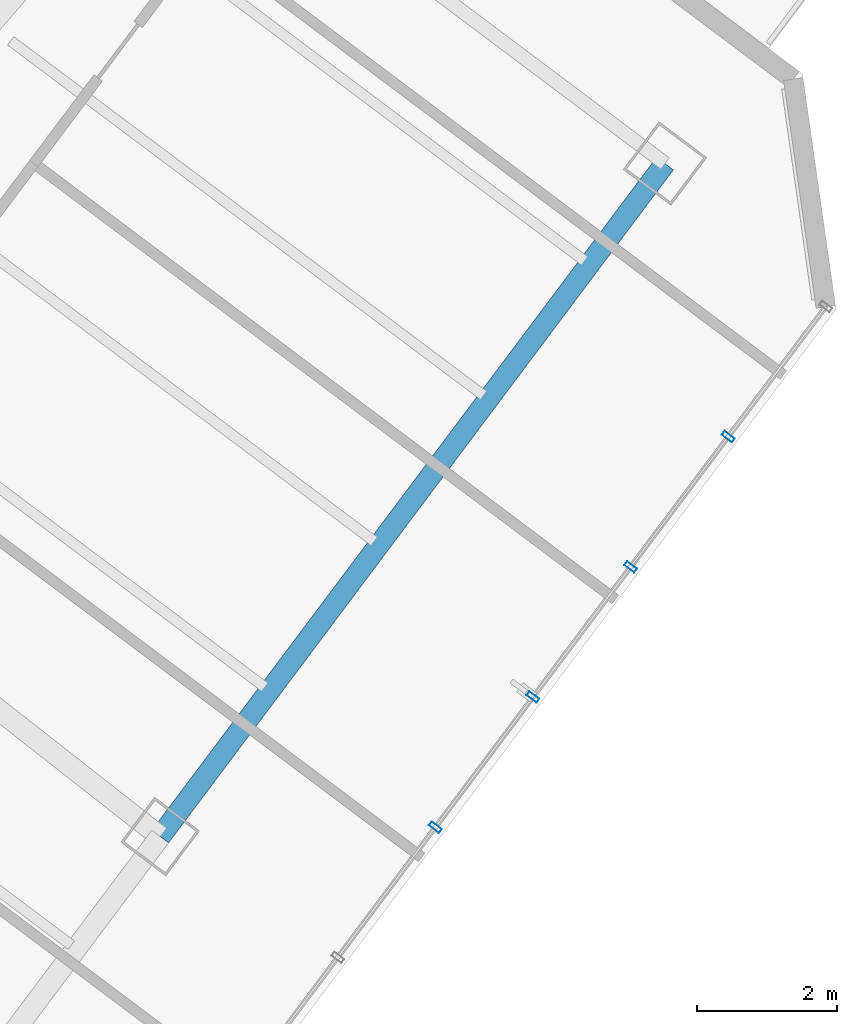
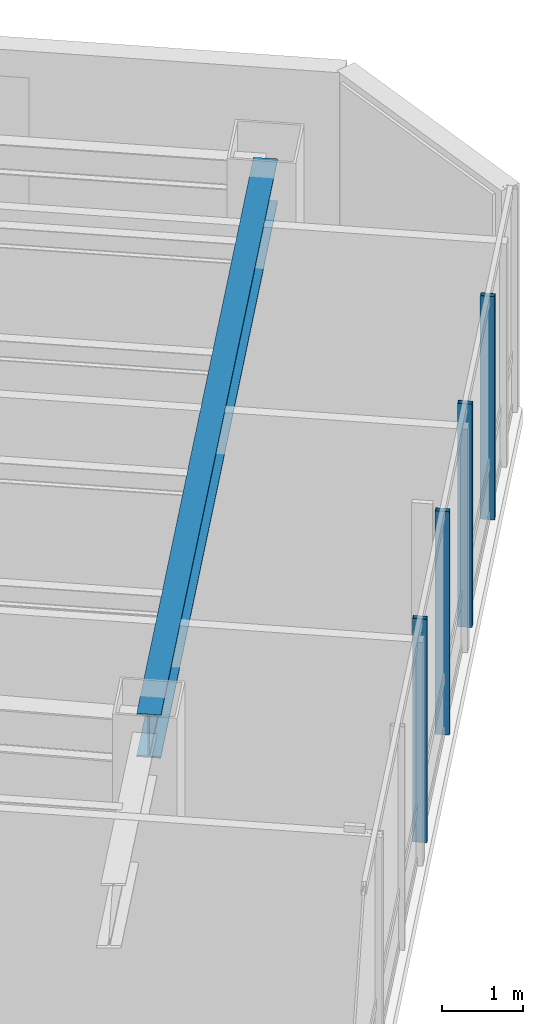
# One storey, part 13 of 29: 4 members, 1 beam, 1 element without a shape of its own.
"""IFC4 building model written with IfcOpenShell, lengths in metres."""

from ifc_helpers import new_model, si_unit, direction, frame, origin, origin_2d, place, context, subcontext, project, spatial, hollow_rectangle, i_section, extrude, material, layer, layer_set, material_profile, profile_set, type_object, element, aggregate, save


model = new_model("IFC4")

# Units and contexts
model_context = context("Model", 3, precision=1e-05, world=origin(), true_north=direction((0.0, 1.0)))
body_context = subcontext(model_context, "Body", "Model", "MODEL_VIEW")
ifc_project = project(units=[si_unit("LENGTHUNIT", "METRE"), si_unit("AREAUNIT", "SQUARE_METRE"), si_unit("VOLUMEUNIT", "CUBIC_METRE"), si_unit("PLANEANGLEUNIT", "RADIAN"), si_unit("MASSUNIT", "GRAM", prefix="KILO")], contexts=[model_context])

# Site, building, storey
site_placement = place(None, origin())
site = spatial("IfcSite", under=ifc_project, at=site_placement, CompositionType="ELEMENT")
building_placement = place(site_placement, origin())
building = spatial("IfcBuilding", under=site, at=building_placement, Name="Hatsunagi Terrace Concourse", CompositionType="ELEMENT")
storey_placement = place(building_placement, frame((0.0, 0.0, 149.25)))
storey = spatial("IfcBuildingStorey", under=building, at=storey_placement, Name="L39", CompositionType="ELEMENT", Elevation=149.25)

# Curtain wall, members
ifc_material_1 = material(Name="Anodised Aluminium Alloy 6063-T5", Category="aluminium")
ifc_layer = layer(ifc_material_1, 0.199951171875)
ifc_layer_set = layer_set([ifc_layer], Name="OfficeZone1_CW03")
curtain_wall_type = type_object("IfcCurtainWallType", Name="OfficeZone1_CW03", PredefinedType="NOTDEFINED", material=ifc_layer_set)
curtain_wall_placement = place(storey_placement, origin())
curtain_wall = element("IfcCurtainWall", 1, at=curtain_wall_placement, inside=storey, type_object=curtain_wall_type, Name="Unitised Curtain Wall CW-03 CW-L39-03", PredefinedType="NOTDEFINED")
ifc_material_2 = material(Name="Anodised Aluminium Alloy 6063-T5", Category="aluminium")
ifc_material_profile_1 = material_profile(ifc_material_2, hollow_rectangle(XDim=0.070068359375, YDim=0.179931640625, WallThickness=0.00390625, at=origin_2d()), Name="ALU-MUL-180x70x4")
ifc_profile_set_1 = profile_set([ifc_material_profile_1], Name="Anodised Aluminium Alloy 6063-T5")
member_type = type_object("IfcMemberType", Name="CurtainWallMullion_180x70", PredefinedType="MULLION", material=ifc_profile_set_1)
member_1_placement = place(storey_placement, frame((59.301025390625, 24.10205078125, 0.0), z_axis=(0.0, 0.0, 1.0), x_axis=(-0.599969314634, -0.800023013105, 0.0)))
member_1 = element("IfcMember", 2, at=member_1_placement, type_object=member_type, Name="Curtain Wall Mullion MUL-02", PredefinedType="MULLION", context=body_context, shape_type="SweptSolid", body=[
    extrude(hollow_rectangle(XDim=0.070068359375, YDim=0.179931640625, WallThickness=0.00390625, at=origin_2d()), origin(), (0.0, 0.0, 1.0), 3.35009765625),
])
member_2_placement = place(storey_placement, frame((57.908935546875, 22.2451171875, 0.0), z_axis=(0.0, 0.0, 1.0), x_axis=(-0.599969314634, -0.800023013105, 0.0)))
member_2 = element("IfcMember", 3, at=member_2_placement, type_object=member_type, Name="Curtain Wall Mullion MUL-02", PredefinedType="MULLION", context=body_context, shape_type="SweptSolid", body=[
    extrude(hollow_rectangle(XDim=0.070068359375, YDim=0.179931640625, WallThickness=0.00390625, at=origin_2d()), origin(), (0.0, 0.0, 1.0), 3.35009765625),
])
member_3_placement = place(storey_placement, frame((56.51611328125, 20.388916015625, 0.0), z_axis=(0.0, 0.0, 1.0), x_axis=(-0.599969314634, -0.800023013105, 0.0)))
member_3 = element("IfcMember", 4, at=member_3_placement, type_object=member_type, Name="Curtain Wall Mullion MUL-02", PredefinedType="MULLION", context=body_context, shape_type="SweptSolid", body=[
    extrude(hollow_rectangle(XDim=0.070068359375, YDim=0.179931640625, WallThickness=0.00390625, at=origin_2d()), origin(), (0.0, 0.0, 1.0), 3.35009765625),
])
member_4_placement = place(storey_placement, frame((55.1240234375, 18.531982421875, 0.0), z_axis=(0.0, 0.0, 1.0), x_axis=(-0.599969314634, -0.800023013105, 0.0)))
member_4 = element("IfcMember", 5, at=member_4_placement, type_object=member_type, Name="Curtain Wall Mullion MUL-02", PredefinedType="MULLION", context=body_context, shape_type="SweptSolid", body=[
    extrude(hollow_rectangle(XDim=0.070068359375, YDim=0.179931640625, WallThickness=0.00390625, at=origin_2d()), origin(), (0.0, 0.0, 1.0), 3.35009765625),
])
aggregate(curtain_wall, [member_1, member_2, member_3, member_4])

# Beam
ifc_material_3 = material(Name="Steel SN490B", Category="steel")
ifc_material_profile_2 = material_profile(ifc_material_3, i_section(OverallWidth=0.300048828125, OverallDepth=0.64990234375, WebThickness=0.012939453125, FlangeThickness=0.02197265625, FilletRadius=0.01806640625, at=origin_2d()), Name="H-650x300x13x22")
ifc_profile_set_2 = profile_set([ifc_material_profile_2], Name="Steel SN490B")
beam_type = type_object("IfcBeamType", Name="OfficeLowGirder_H_650x300", PredefinedType="BEAM", material=ifc_profile_set_2)
beam_placement = place(storey_placement, frame((51.199951171875, 18.39990234375, 3.02490234375), z_axis=(0.59999348959, 0.800004882766, 0.0), x_axis=(-0.800004882766, 0.59999348959, 0.0)))
element("IfcBeam", 6, at=beam_placement, inside=storey, type_object=beam_type, Name="Beam G-05 BM-L39-SET-2B", PredefinedType="BEAM", context=body_context, shape_type="SweptSolid", body=[
    extrude(i_section(OverallWidth=0.300048828125, OverallDepth=0.64990234375, WebThickness=0.012939453125, FlangeThickness=0.02197265625, FilletRadius=0.01806640625, at=origin_2d()), origin(), (0.0, 0.0, 1.0), 12.0),
])

save(model, "model.ifc")
